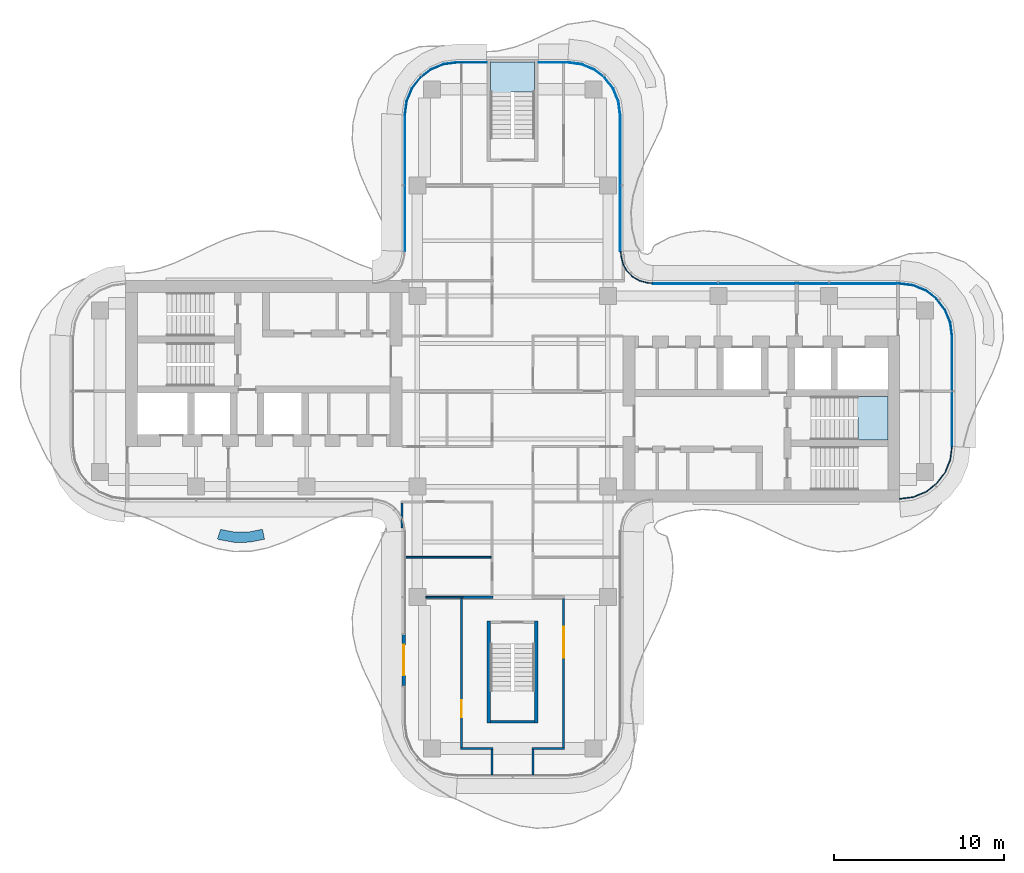
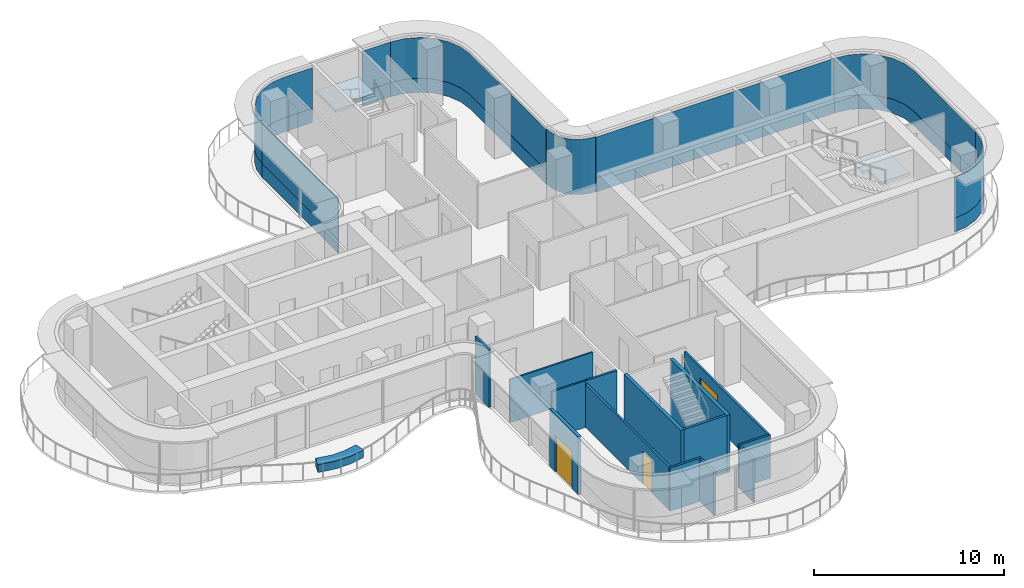
# One storey, part 10 of 16: 15 plates, 15 walls, 3 doors, 2 slabs, 3 openings, 10 elements without a shape of their own.
"""IFC4 building model written with IfcOpenShell, lengths in metres."""

from ifc_helpers import new_model, si_unit, direction, frame, frame_2d, origin, place, context, subcontext, project, spatial, polyline, rectangle, outline, extrude, source, transform, mapped, material, layer, layer_set, type_object, element, fill, aggregate, save


model = new_model("IFC4")

# Units and contexts
model_context = context("Model", 3, precision=1e-05, world=origin(), true_north=direction((0.0, 1.0)))
body_context = subcontext(model_context, "Body", "Model", "MODEL_VIEW")
ifc_project = project(units=[si_unit("LENGTHUNIT", "METRE"), si_unit("AREAUNIT", "SQUARE_METRE"), si_unit("VOLUMEUNIT", "CUBIC_METRE"), si_unit("PLANEANGLEUNIT", "RADIAN"), si_unit("MASSUNIT", "GRAM", prefix="KILO")], contexts=[model_context])

# Site, building, storey
site_placement = place(None, origin())
site = spatial("IfcSite", under=ifc_project, at=site_placement, CompositionType="ELEMENT")
building_placement = place(site_placement, origin())
building = spatial("IfcBuilding", under=site, at=building_placement, Name="Trellis Farm Tower", CompositionType="ELEMENT")
storey_placement = place(building_placement, frame((0.0, 0.0, 310.60009765625)))
storey = spatial("IfcBuildingStorey", under=building, at=storey_placement, Name="L70", CompositionType="ELEMENT", Elevation=310.60009765625)

# Stair, slab
ifc_material_1 = material(Name="Concrete C50/60", Category="concrete")
stair_type = type_object("IfcStairType", Name="CORE EXIT STAIR 22 RISERS 177 MM", PredefinedType="HALF_TURN_STAIR", material=ifc_material_1)
placement_1 = place(storey_placement, origin())
stair_1 = element("IfcStair", 1, at=placement_1, inside=storey, type_object=stair_type, Name="Exit stair N", PredefinedType="HALF_TURN_STAIR")
ifc_layer_1 = layer(ifc_material_1, 0.18994140625)
ifc_layer_set_1 = layer_set([ifc_layer_1], Name="CORE STAIR LANDING 190 CONCRETE C50/60")
slab_type = type_object("IfcSlabType", Name="CORE STAIR LANDING 190 CONCRETE C50/60", PredefinedType="LANDING", material=ifc_layer_set_1)
shared_shape_1 = source(origin(), body_context, "Body", "SweptSolid", [
    extrude(outline(polyline([(-0.10009765625, 17.27197265625), (-1.300048828125, 17.27197265625), (-1.300048828125, 17.60009765625), (-1.300048828125, 19.35009765625), (1.300048828125, 19.35009765625), (1.300048828125, 17.60009765625), (1.300048828125, 17.590087890625), (0.10009765625, 17.590087890625), (0.10009765625, 17.60009765625), (-0.10009765625, 17.60009765625), (-0.10009765625, 17.27197265625)])), origin(), (0.0, 0.0, 1.0), 0.18994140625),
])
placement_2 = place(storey_placement, frame((0.0, 0.0, 1.760009765625)))
slab_1 = element("IfcSlab", 2, at=placement_2, type_object=slab_type, Name="STN landing 1", PredefinedType="LANDING", context=body_context, shape_type="MappedRepresentation", body=[
    mapped(shared_shape_1, transform((0.0, 0.0, 0.0))),
])
aggregate(stair_1, [slab_1])

stair_2 = element("IfcStair", 3, at=placement_1, inside=storey, type_object=stair_type, Name="Exit stair E2", PredefinedType="HALF_TURN_STAIR")
shared_shape_2 = source(origin(), body_context, "Body", "SweptSolid", [
    extrude(outline(polyline([(20.2900390625, -2.85009765625), (20.2900390625, -1.64990234375), (20.300048828125, -1.64990234375), (20.300048828125, -1.5), (19.971923828125, -1.5), (19.971923828125, -0.300048828125), (20.300048828125, -0.300048828125), (22.050048828125, -0.300048828125), (22.050048828125, -2.85009765625), (20.300048828125, -2.85009765625), (20.2900390625, -2.85009765625)])), origin(), (0.0, 0.0, 1.0), 0.18994140625),
])
slab_2 = element("IfcSlab", 4, at=placement_2, type_object=slab_type, Name="STE2 landing 1", PredefinedType="LANDING", context=body_context, shape_type="MappedRepresentation", body=[
    mapped(shared_shape_2, transform((0.0, 0.0, 0.0))),
])
aggregate(stair_2, [slab_2])

# Curtain wall, plate
ifc_material_2 = material(Name="Aluminium and glass curtain wall", Category="aluminium")
ifc_layer_2 = layer(ifc_material_2, 0.166015625)
ifc_layer_set_2 = layer_set([ifc_layer_2], Name="WINTER GARDEN CURTAIN WALL CW3")
curtain_wall_type_1 = type_object("IfcCurtainWallType", Name="WINTER GARDEN CURTAIN WALL CW3", PredefinedType="NOTDEFINED", material=ifc_layer_set_2)
curtain_wall_1 = element("IfcCurtainWall", 5, at=placement_1, inside=storey, type_object=curtain_wall_type_1, Name="CW3 003", PredefinedType="NOTDEFINED")
ifc_material_3 = material(Name="Clear insulated glass", Category="glass")
ifc_layer_3 = layer(ifc_material_3, 0.0458984375)
ifc_layer_set_3 = layer_set([ifc_layer_3], Name="CW3 GLASS PANEL 46")
plate_type_1 = type_object("IfcPlateType", Name="CW3 GLASS PANEL 46", PredefinedType="CURTAIN_PANEL", material=ifc_layer_set_3)
shared_shape_3 = source(origin(), body_context, "Body", "SweptSolid", [
    extrude(outline(polyline([(8.2275390625, 6.3798828125), (8.0078125, 6.394287109375), (7.89208984375, 6.40966796875), (7.462158203125, 6.52490234375), (7.070556640625, 6.7509765625), (6.7509765625, 7.070556640625), (6.52490234375, 7.462158203125), (6.40966796875, 7.89208984375), (6.394287109375, 8.0078125), (6.3798828125, 8.2275390625), (6.333984375, 8.22607421875), (6.3486328125, 8.003173828125), (6.364501953125, 7.883056640625), (6.48193359375, 7.4443359375), (6.714111328125, 7.04248046875), (7.04248046875, 6.714111328125), (7.4443359375, 6.48193359375), (7.883056640625, 6.364501953125), (8.003173828125, 6.3486328125), (8.22607421875, 6.333984375), (8.2275390625, 6.3798828125)])), origin(), (0.0, 0.0, 1.0), 3.5498046875),
])
plate_1 = element("IfcPlate", 6, at=placement_1, type_object=plate_type_1, Name="PL3 003", PredefinedType="CURTAIN_PANEL", context=body_context, shape_type="MappedRepresentation", body=[
    mapped(shared_shape_3, transform((0.0, 0.0, 0.0))),
])
aggregate(curtain_wall_1, [plate_1])

# Curtain wall, plates
ifc_layer_4 = layer(ifc_material_2, 0.18994140625)
ifc_layer_set_4 = layer_set([ifc_layer_4], Name="RIBBON CURTAIN WALL CW1")
curtain_wall_type_2 = type_object("IfcCurtainWallType", Name="RIBBON CURTAIN WALL CW1", PredefinedType="NOTDEFINED", material=ifc_layer_set_4)
curtain_wall_2 = element("IfcCurtainWall", 7, at=placement_1, inside=storey, type_object=curtain_wall_type_2, Name="CW1 006", PredefinedType="NOTDEFINED")
ifc_layer_5 = layer(ifc_material_3, 0.0400390625)
ifc_layer_set_5 = layer_set([ifc_layer_5], Name="CW1 GLASS PANEL 40")
plate_type_2 = type_object("IfcPlateType", Name="CW1 GLASS PANEL 40", PredefinedType="CURTAIN_PANEL", material=ifc_layer_set_5)
shared_shape_4 = source(origin(), body_context, "Body", "SweptSolid", [
    extrude(outline(polyline([(22.740234375, -6.35009765625), (23.552001953125, -6.2431640625), (24.29931640625, -5.93359375), (24.941162109375, -5.441162109375), (25.43359375, -4.79931640625), (25.7431640625, -4.052001953125), (25.85009765625, -3.240234375), (25.81005859375, -3.237548828125), (25.7041015625, -4.04150390625), (25.398681640625, -4.779296875), (24.91259765625, -5.41259765625), (24.279296875, -5.898681640625), (23.54150390625, -6.2041015625), (22.737548828125, -6.31005859375), (22.740234375, -6.35009765625)])), origin(), (0.0, 0.0, 1.0), 2.6201171875),
])
placement_3 = place(storey_placement, frame((0.0, 0.0, 0.89990234375)))
plate_2 = element("IfcPlate", 8, at=placement_3, type_object=plate_type_2, Name="PL1 006", PredefinedType="CURTAIN_PANEL", context=body_context, shape_type="MappedRepresentation", body=[
    mapped(shared_shape_4, transform((0.0, 0.0, 0.0))),
])
ifc_material_4 = material(Name="Sandstone faced insulated panel", Category="masonry")
ifc_layer_6 = layer(ifc_material_4, 0.050048828125)
ifc_layer_set_6 = layer_set([ifc_layer_6], Name="CW1 STONE SPANDREL PANEL 50")
plate_type_3 = type_object("IfcPlateType", Name="CW1 STONE SPANDREL PANEL 50", PredefinedType="CURTAIN_PANEL", material=ifc_layer_set_6)
shared_shape_5 = source(origin(), body_context, "Body", "SweptSolid", [
    extrude(outline(polyline([(22.740234375, -6.35009765625), (23.552001953125, -6.2431640625), (24.29931640625, -5.93359375), (24.941162109375, -5.441162109375), (25.43359375, -4.79931640625), (25.7431640625, -4.052001953125), (25.85009765625, -3.240234375), (25.800048828125, -3.23681640625), (25.6943359375, -4.0390625), (25.389892578125, -4.774169921875), (24.905517578125, -5.405517578125), (24.274169921875, -5.889892578125), (23.5390625, -6.1943359375), (22.73681640625, -6.300048828125), (22.740234375, -6.35009765625)])), origin(), (0.0, 0.0, 1.0), 0.89990234375),
])
plate_3 = element("IfcPlate", 9, at=placement_1, type_object=plate_type_3, Name="PS1 006", PredefinedType="CURTAIN_PANEL", context=body_context, shape_type="MappedRepresentation", body=[
    mapped(shared_shape_5, transform((0.0, 0.0, 0.0))),
])
aggregate(curtain_wall_2, [plate_2, plate_3])

curtain_wall_3 = element("IfcCurtainWall", 10, at=placement_1, inside=storey, type_object=curtain_wall_type_2, Name="CW1 007", PredefinedType="NOTDEFINED")
shared_shape_6 = source(origin(), body_context, "Body", "SweptSolid", [
    extrude(outline(polyline([(25.85009765625, -3.240234375), (25.85009765625, 3.240234375), (25.7431640625, 4.052001953125), (25.43359375, 4.79931640625), (24.941162109375, 5.441162109375), (24.29931640625, 5.93359375), (23.552001953125, 6.2431640625), (22.740234375, 6.35009765625), (22.737548828125, 6.31005859375), (23.54150390625, 6.2041015625), (24.279296875, 5.898681640625), (24.91259765625, 5.41259765625), (25.398681640625, 4.779296875), (25.7041015625, 4.04150390625), (25.81005859375, 3.237548828125), (25.81005859375, -3.237548828125), (25.85009765625, -3.240234375)])), origin(), (0.0, 0.0, 1.0), 2.6201171875),
])
plate_4 = element("IfcPlate", 11, at=placement_3, type_object=plate_type_2, Name="PL1 007", PredefinedType="CURTAIN_PANEL", context=body_context, shape_type="MappedRepresentation", body=[
    mapped(shared_shape_6, transform((0.0, 0.0, 0.0))),
])
shared_shape_7 = source(origin(), body_context, "Body", "SweptSolid", [
    extrude(outline(polyline([(25.85009765625, -3.240234375), (25.85009765625, 3.240234375), (25.7431640625, 4.052001953125), (25.43359375, 4.79931640625), (24.941162109375, 5.441162109375), (24.29931640625, 5.93359375), (23.552001953125, 6.2431640625), (22.740234375, 6.35009765625), (22.73681640625, 6.300048828125), (23.5390625, 6.1943359375), (24.274169921875, 5.889892578125), (24.905517578125, 5.405517578125), (25.389892578125, 4.774169921875), (25.6943359375, 4.0390625), (25.800048828125, 3.23681640625), (25.800048828125, -3.23681640625), (25.85009765625, -3.240234375)])), origin(), (0.0, 0.0, 1.0), 0.89990234375),
])
plate_5 = element("IfcPlate", 12, at=placement_1, type_object=plate_type_3, Name="PS1 007", PredefinedType="CURTAIN_PANEL", context=body_context, shape_type="MappedRepresentation", body=[
    mapped(shared_shape_7, transform((0.0, 0.0, 0.0))),
])
aggregate(curtain_wall_3, [plate_4, plate_5])

curtain_wall_4 = element("IfcCurtainWall", 13, at=placement_1, inside=storey, type_object=curtain_wall_type_2, Name="CW1 008", PredefinedType="NOTDEFINED")
shared_shape_8 = source(origin(), body_context, "Body", "SweptSolid", [
    extrude(outline(polyline([(22.740234375, 6.35009765625), (8.2265625, 6.35009765625), (8.22509765625, 6.31005859375), (22.737548828125, 6.31005859375), (22.740234375, 6.35009765625)])), origin(), (0.0, 0.0, 1.0), 2.6201171875),
])
plate_6 = element("IfcPlate", 14, at=placement_3, type_object=plate_type_2, Name="PL1 008", PredefinedType="CURTAIN_PANEL", context=body_context, shape_type="MappedRepresentation", body=[
    mapped(shared_shape_8, transform((0.0, 0.0, 0.0))),
])
shared_shape_9 = source(origin(), body_context, "Body", "SweptSolid", [
    extrude(outline(polyline([(22.740234375, 6.35009765625), (8.2265625, 6.35009765625), (8.224853515625, 6.300048828125), (22.73681640625, 6.300048828125), (22.740234375, 6.35009765625)])), origin(), (0.0, 0.0, 1.0), 0.89990234375),
])
plate_7 = element("IfcPlate", 15, at=placement_1, type_object=plate_type_3, Name="PS1 008", PredefinedType="CURTAIN_PANEL", context=body_context, shape_type="MappedRepresentation", body=[
    mapped(shared_shape_9, transform((0.0, 0.0, 0.0))),
])
aggregate(curtain_wall_4, [plate_6, plate_7])

curtain_wall_5 = element("IfcCurtainWall", 16, at=placement_1, inside=storey, type_object=curtain_wall_type_2, Name="CW1 009", PredefinedType="NOTDEFINED")
shared_shape_10 = source(origin(), body_context, "Body", "SweptSolid", [
    extrude(outline(polyline([(6.35009765625, 8.2265625), (6.35009765625, 16.240234375), (6.2431640625, 17.052001953125), (5.93359375, 17.79931640625), (5.441162109375, 18.441162109375), (4.79931640625, 18.93359375), (4.052001953125, 19.2431640625), (3.240234375, 19.35009765625), (3.237548828125, 19.31005859375), (4.04150390625, 19.2041015625), (4.779296875, 18.898681640625), (5.41259765625, 18.41259765625), (5.898681640625, 17.779296875), (6.2041015625, 17.04150390625), (6.31005859375, 16.237548828125), (6.31005859375, 8.22509765625), (6.35009765625, 8.2265625)])), origin(), (0.0, 0.0, 1.0), 2.6201171875),
])
plate_8 = element("IfcPlate", 17, at=placement_3, type_object=plate_type_2, Name="PL1 009", PredefinedType="CURTAIN_PANEL", context=body_context, shape_type="MappedRepresentation", body=[
    mapped(shared_shape_10, transform((0.0, 0.0, 0.0))),
])
shared_shape_11 = source(origin(), body_context, "Body", "SweptSolid", [
    extrude(outline(polyline([(6.35009765625, 8.2265625), (6.35009765625, 16.240234375), (6.2431640625, 17.052001953125), (5.93359375, 17.79931640625), (5.441162109375, 18.441162109375), (4.79931640625, 18.93359375), (4.052001953125, 19.2431640625), (3.240234375, 19.35009765625), (3.23681640625, 19.300048828125), (4.0390625, 19.1943359375), (4.774169921875, 18.889892578125), (5.405517578125, 18.405517578125), (5.889892578125, 17.774169921875), (6.1943359375, 17.0390625), (6.300048828125, 16.23681640625), (6.300048828125, 8.224853515625), (6.35009765625, 8.2265625)])), origin(), (0.0, 0.0, 1.0), 0.89990234375),
])
plate_9 = element("IfcPlate", 18, at=placement_1, type_object=plate_type_3, Name="PS1 009", PredefinedType="CURTAIN_PANEL", context=body_context, shape_type="MappedRepresentation", body=[
    mapped(shared_shape_11, transform((0.0, 0.0, 0.0))),
])
aggregate(curtain_wall_5, [plate_8, plate_9])

curtain_wall_6 = element("IfcCurtainWall", 19, at=placement_1, inside=storey, type_object=curtain_wall_type_2, Name="CW1 010", PredefinedType="NOTDEFINED")
shared_shape_12 = source(origin(), body_context, "Body", "SweptSolid", [
    extrude(outline(polyline([(3.240234375, 19.35009765625), (1.530029296875, 19.35009765625), (1.530029296875, 19.31005859375), (3.237548828125, 19.31005859375), (3.240234375, 19.35009765625)])), origin(), (0.0, 0.0, 1.0), 2.6201171875),
])
plate_10 = element("IfcPlate", 20, at=placement_3, type_object=plate_type_2, Name="PL1 010", PredefinedType="CURTAIN_PANEL", context=body_context, shape_type="MappedRepresentation", body=[
    mapped(shared_shape_12, transform((0.0, 0.0, 0.0))),
])
shared_shape_13 = source(origin(), body_context, "Body", "SweptSolid", [
    extrude(outline(polyline([(3.240234375, 19.35009765625), (1.530029296875, 19.35009765625), (1.530029296875, 19.300048828125), (3.23681640625, 19.300048828125), (3.240234375, 19.35009765625)])), origin(), (0.0, 0.0, 1.0), 0.89990234375),
])
plate_11 = element("IfcPlate", 21, at=placement_1, type_object=plate_type_3, Name="PS1 010", PredefinedType="CURTAIN_PANEL", context=body_context, shape_type="MappedRepresentation", body=[
    mapped(shared_shape_13, transform((0.0, 0.0, 0.0))),
])
aggregate(curtain_wall_6, [plate_10, plate_11])

curtain_wall_7 = element("IfcCurtainWall", 22, at=placement_1, inside=storey, type_object=curtain_wall_type_2, Name="CW1 012", PredefinedType="NOTDEFINED")
shared_shape_14 = source(origin(), body_context, "Body", "SweptSolid", [
    extrude(outline(polyline([(-6.35009765625, 16.240234375), (-6.35009765625, 8.2265625), (-6.31005859375, 8.22509765625), (-6.31005859375, 16.237548828125), (-6.35009765625, 16.240234375)])), origin(), (0.0, 0.0, 1.0), 2.6201171875),
])
plate_12 = element("IfcPlate", 23, at=placement_3, type_object=plate_type_2, Name="PL1 012", PredefinedType="CURTAIN_PANEL", context=body_context, shape_type="MappedRepresentation", body=[
    mapped(shared_shape_14, transform((0.0, 0.0, 0.0))),
])
shared_shape_15 = source(origin(), body_context, "Body", "SweptSolid", [
    extrude(outline(polyline([(-6.35009765625, 16.240234375), (-6.35009765625, 8.2265625), (-6.300048828125, 8.224853515625), (-6.300048828125, 16.23681640625), (-6.35009765625, 16.240234375)])), origin(), (0.0, 0.0, 1.0), 0.89990234375),
])
plate_13 = element("IfcPlate", 24, at=placement_1, type_object=plate_type_3, Name="PS1 012", PredefinedType="CURTAIN_PANEL", context=body_context, shape_type="MappedRepresentation", body=[
    mapped(shared_shape_15, transform((0.0, 0.0, 0.0))),
])
aggregate(curtain_wall_7, [plate_12, plate_13])

curtain_wall_8 = element("IfcCurtainWall", 25, at=placement_1, inside=storey, type_object=curtain_wall_type_2, Name="CW1 011", PredefinedType="NOTDEFINED")
shared_shape_16 = source(origin(), body_context, "Body", "SweptSolid", [
    extrude(outline(polyline([(-1.530029296875, 19.35009765625), (-3.240234375, 19.35009765625), (-4.052001953125, 19.2431640625), (-4.79931640625, 18.93359375), (-5.441162109375, 18.441162109375), (-5.93359375, 17.79931640625), (-6.2431640625, 17.052001953125), (-6.35009765625, 16.240234375), (-6.31005859375, 16.237548828125), (-6.2041015625, 17.04150390625), (-5.898681640625, 17.779296875), (-5.41259765625, 18.41259765625), (-4.779296875, 18.898681640625), (-4.04150390625, 19.2041015625), (-3.237548828125, 19.31005859375), (-1.530029296875, 19.31005859375), (-1.530029296875, 19.35009765625)])), origin(), (0.0, 0.0, 1.0), 2.6201171875),
])
plate_14 = element("IfcPlate", 26, at=placement_3, type_object=plate_type_2, Name="PL1 011", PredefinedType="CURTAIN_PANEL", context=body_context, shape_type="MappedRepresentation", body=[
    mapped(shared_shape_16, transform((0.0, 0.0, 0.0))),
])
shared_shape_17 = source(origin(), body_context, "Body", "SweptSolid", [
    extrude(outline(polyline([(-1.530029296875, 19.35009765625), (-3.240234375, 19.35009765625), (-4.052001953125, 19.2431640625), (-4.79931640625, 18.93359375), (-5.441162109375, 18.441162109375), (-5.93359375, 17.79931640625), (-6.2431640625, 17.052001953125), (-6.35009765625, 16.240234375), (-6.300048828125, 16.23681640625), (-6.1943359375, 17.0390625), (-5.889892578125, 17.774169921875), (-5.405517578125, 18.405517578125), (-4.774169921875, 18.889892578125), (-4.0390625, 19.1943359375), (-3.23681640625, 19.300048828125), (-1.530029296875, 19.300048828125), (-1.530029296875, 19.35009765625)])), origin(), (0.0, 0.0, 1.0), 0.89990234375),
])
plate_15 = element("IfcPlate", 27, at=placement_1, type_object=plate_type_3, Name="PS1 011", PredefinedType="CURTAIN_PANEL", context=body_context, shape_type="MappedRepresentation", body=[
    mapped(shared_shape_17, transform((0.0, 0.0, 0.0))),
])
aggregate(curtain_wall_8, [plate_14, plate_15])

# Walls
ifc_material_5 = material(Name="Sandstone faced masonry planter", Category="masonry")
ifc_layer_7 = layer(ifc_material_5, 0.60009765625)
ifc_layer_set_7 = layer_set([ifc_layer_7], Name="PLANTER BED 600")
wall_type_1 = type_object("IfcWallType", Name="PLANTER BED 600", PredefinedType="USERDEFINED", material=ifc_layer_set_7)
element("IfcWall", 28, at=placement_1, inside=storey, type_object=wall_type_1, Name="PLANTER bed", ObjectType="PLANTER", PredefinedType="USERDEFINED", context=body_context, shape_type="SweptSolid", body=[
    extrude(outline(polyline([(-16.354736328125, -8.87841796875), (-17.25537109375, -8.717041015625), (-17.3525390625, -8.683837890625), (-17.158935546875, -8.1162109375), (-16.304443359375, -8.27783203125), (-15.523681640625, -8.27001953125), (-14.6962890625, -8.105712890625), (-14.579345703125, -8.6943359375), (-15.461669921875, -8.869384765625), (-16.354736328125, -8.87841796875)])), origin(), (0.0, 0.0, 1.0), 0.5),
])
ifc_layer_8 = layer(ifc_material_1, 0.199951171875)
ifc_layer_set_8 = layer_set([ifc_layer_8], Name="CORE STAIR ENCLOSURE WALL 200 CONCRETE C50/60")
wall_type_2 = type_object("IfcWallType", Name="CORE STAIR ENCLOSURE WALL 200 CONCRETE C50/60", PredefinedType="SHEAR", material=ifc_layer_set_8)
shared_shape_18 = source(origin(), body_context, "Body", "SweptSolid", [
    extrude(rectangle(XDim=6.0, YDim=0.199951171875, at=frame_2d((3.0, 0.0))), origin(), (0.0, 0.0, 1.0), 3.699951171875),
])
for number, where, z_axis, x_axis, name in (
    (29, (1.39990234375, -13.5, 0.0), (0.0, 0.0, 1.0), (0.0, -1.0, 0.0), "Stair enclosure wall"),
    (30, (-1.39990234375, -13.5, 0.0), (0.0, 0.0, 1.0), (0.0, -1.0, 0.0), "Stair enclosure wall"),
):
    element("IfcWall", number, at=place(storey_placement, frame(where, z_axis=z_axis, x_axis=x_axis)), inside=storey, type_object=wall_type_2, Name=name, PredefinedType="SHEAR", context=body_context, shape_type="MappedRepresentation", body=[
        mapped(shared_shape_18, transform((0.0, 0.0, 0.0))),
    ])
ifc_layer_9 = layer(ifc_material_1, 0.14990234375)
ifc_layer_set_9 = layer_set([ifc_layer_9], Name="CORE STAIR ENCLOSURE WALL 150 CONCRETE C50/60")
wall_type_3 = type_object("IfcWallType", Name="CORE STAIR ENCLOSURE WALL 150 CONCRETE C50/60", PredefinedType="SHEAR", material=ifc_layer_set_9)
shared_shape_19 = source(origin(), body_context, "Body", "SweptSolid", [
    extrude(rectangle(XDim=2.60009765625, YDim=0.14990234375, at=frame_2d((1.300048828125, 0.0))), origin(), (0.0, 0.0, 1.0), 3.699951171875),
])
wall_2_placement = place(storey_placement, frame((1.300048828125, -19.425048828125, 0.0), z_axis=(0.0, 0.0, 1.0), x_axis=(-1.0, 0.0, 0.0)))
element("IfcWall", 31, at=wall_2_placement, inside=storey, type_object=wall_type_3, Name="Stair enclosure wall", PredefinedType="SHEAR", context=body_context, shape_type="MappedRepresentation", body=[
    mapped(shared_shape_19, transform((0.0, 0.0, 0.0))),
])

# Wall, opening, door
ifc_material_6 = material(Name="Sandstone faced insulated wall", Category="masonry")
ifc_layer_10 = layer(ifc_material_6, 0.199951171875)
ifc_layer_set_10 = layer_set([ifc_layer_10], Name="EXTERNAL INFILL WALL 200")
wall_type_4 = type_object("IfcWallType", Name="EXTERNAL INFILL WALL 200", PredefinedType="SOLIDWALL", material=ifc_layer_set_10)
shared_shape_20 = source(origin(), body_context, "Body", "SweptSolid", [
    extrude(rectangle(XDim=3.0, YDim=0.199951171875, at=frame_2d((1.5, 0.0))), origin(), (0.0, 0.0, 1.0), 3.699951171875),
])
wall_3_placement = place(storey_placement, frame((-6.39990234375, -14.300048828125, 0.0), z_axis=(0.0, 0.0, 1.0), x_axis=(0.0, -1.0, 0.0)))
wall_3 = element("IfcWall", 32, at=wall_3_placement, inside=storey, type_object=wall_type_4, Name="EW1 01", PredefinedType="SOLIDWALL", context=body_context, shape_type="MappedRepresentation", body=[
    mapped(shared_shape_20, transform((0.0, 0.0, 0.0))),
])
shared_shape_21 = source(origin(), body_context, "Body", "SweptSolid", [
    extrude(rectangle(XDim=1.800048828125, YDim=2.39990234375, at=frame_2d((0.89990234375, 1.199951171875))), frame((0.0, 0.110107421875, 0.0), z_axis=(0.0, -1.0, 0.0), x_axis=(1.0, 0.0, 0.0)), (0.0, 0.0, 1.0), 0.22021484375),
])
opening_1_placement = place(wall_3_placement, frame((0.60009765625, 0.0, 0.0)))
opening_1 = element("IfcOpeningElement", 33, at=opening_1_placement, cuts=wall_3, Name="Opening ED1", PredefinedType="OPENING", context=body_context, shape_type="MappedRepresentation", body=[
    mapped(shared_shape_21, transform((0.0, 0.0, 0.0))),
])
ifc_material_7 = material(Name="Aluminium framed glazed door", Category="aluminium")
door_type_1 = type_object("IfcDoorType", Name="BALCONY DOOR 1800x2400", OperationType="DOUBLE_DOOR_SINGLE_SWING", PredefinedType="DOOR", material=ifc_material_7)
shared_shape_22 = source(origin(), body_context, "Body", "SweptSolid", [
    extrude(rectangle(XDim=1.800048828125, YDim=2.39990234375, at=frame_2d((0.89990234375, 1.199951171875))), frame((0.0, 0.02490234375, 0.0), z_axis=(0.0, -1.0, 0.0), x_axis=(1.0, 0.0, 0.0)), (0.0, 0.0, 1.0), 0.050048828125),
])
door_1_placement = place(opening_1_placement, origin())
door_1 = element("IfcDoor", 34, at=door_1_placement, inside=storey, type_object=door_type_1, Name="Balcony door", OperationType="DOUBLE_DOOR_SINGLE_SWING", OverallHeight=2.39990234375, OverallWidth=1.800048828125, PredefinedType="DOOR", context=body_context, shape_type="MappedRepresentation", body=[
    mapped(shared_shape_22, transform((0.0, 0.0, 0.0))),
])
fill(opening_1, door_1)

# Walls
ifc_material_8 = material(Name="Plasterboard on steel studs, mineral wool", Category="steel")
ifc_layer_11 = layer(ifc_material_8, 0.125)
ifc_layer_set_11 = layer_set([ifc_layer_11], Name="PARTITION 125 STUD EI 60")
wall_type_5 = type_object("IfcWallType", Name="PARTITION 125 STUD EI 60", PredefinedType="PARTITIONING", material=ifc_layer_set_11)
shared_shape_23 = source(origin(), body_context, "Body", "SweptSolid", [
    extrude(rectangle(XDim=1.468994140625, YDim=0.125, at=frame_2d((0.734375, 0.0))), origin(), (0.0, 0.0, 1.0), 3.699951171875),
])
wall_4_placement = place(storey_placement, frame((-6.5, -6.5625, 0.0), z_axis=(0.0, 0.0, 1.0), x_axis=(0.0, -1.0, 0.0)))
element("IfcWall", 35, at=wall_4_placement, inside=storey, type_object=wall_type_5, Name="Partition PW1", PredefinedType="PARTITIONING", context=body_context, shape_type="MappedRepresentation", body=[
    mapped(shared_shape_23, transform((0.0, 0.0, 0.0))),
])
shared_shape_24 = source(origin(), body_context, "Body", "SweptSolid", [
    extrude(rectangle(XDim=1.925048828125, YDim=0.125, at=frame_2d((0.96240234375, 0.0))), origin(), (0.0, 0.0, 1.0), 2.99658203125),
])
wall_5_placement = place(storey_placement, frame((-3.0625, -12.10009765625, 0.0), z_axis=(0.0, 0.0, 1.0), x_axis=(1.0, 0.0, 0.0)))
element("IfcWall", 36, at=wall_5_placement, inside=storey, type_object=wall_type_5, Name="Partition PW1", PredefinedType="PARTITIONING", context=body_context, shape_type="MappedRepresentation", body=[
    mapped(shared_shape_24, transform((0.0, 0.0, 0.0))),
])
ifc_material_9 = material(Name="Plasterboard on steel studs", Category="steel")
ifc_layer_12 = layer(ifc_material_9, 0.10009765625)
ifc_layer_set_12 = layer_set([ifc_layer_12], Name="PARTITION 100 STUD EI 30")
wall_type_6 = type_object("IfcWallType", Name="PARTITION 100 STUD EI 30", PredefinedType="PARTITIONING", material=ifc_layer_set_12)
shared_shape_25 = source(origin(), body_context, "Body", "SweptSolid", [
    extrude(rectangle(XDim=5.03759765625, YDim=0.10009765625, at=frame_2d((2.518798828125, 0.0))), origin(), (0.0, 0.0, 1.0), 2.77978515625),
])
wall_6_placement = place(storey_placement, frame((-6.300048828125, -9.75, 0.0), z_axis=(0.0, 0.0, 1.0), x_axis=(1.0, 0.0, 0.0)))
element("IfcWall", 37, at=wall_6_placement, inside=storey, type_object=wall_type_6, Name="Partition PW2", PredefinedType="PARTITIONING", context=body_context, shape_type="MappedRepresentation", body=[
    mapped(shared_shape_25, transform((0.0, 0.0, 0.0))),
])
shared_shape_26 = source(origin(), body_context, "Body", "SweptSolid", [
    extrude(rectangle(XDim=1.487548828125, YDim=0.125, at=frame_2d((0.74365234375, 0.0))), origin(), (0.0, 0.0, 1.0), 2.77978515625),
])
for number, where, z_axis, x_axis, name in (
    (38, (-1.199951171875, -21.0625, 0.0), (0.0, 0.0, 1.0), (0.0, -1.0, 0.0), "Partition PW1"),
    (39, (1.199951171875, -21.0625, 0.0), (0.0, 0.0, 1.0), (0.0, -1.0, 0.0), "Partition PW1"),
):
    element("IfcWall", number, at=place(storey_placement, frame(where, z_axis=z_axis, x_axis=x_axis)), inside=storey, type_object=wall_type_5, Name=name, PredefinedType="PARTITIONING", context=body_context, shape_type="MappedRepresentation", body=[
        mapped(shared_shape_26, transform((0.0, 0.0, 0.0))),
    ])
shared_shape_27 = source(origin(), body_context, "Body", "SweptSolid", [
    extrude(rectangle(XDim=1.925048828125, YDim=0.125, at=frame_2d((0.96240234375, 0.0))), origin(), (0.0, 0.0, 1.0), 2.77978515625),
])
for number, where, z_axis, x_axis, name in (
    (40, (-1.137451171875, -21.0, 0.0), (0.0, 0.0, 1.0), (-1.0, 0.0, 0.0), "Partition PW1"),
    (41, (3.0625, -21.0, 0.0), (0.0, 0.0, 1.0), (-1.0, 0.0, 0.0), "Partition PW1"),
):
    element("IfcWall", number, at=place(storey_placement, frame(where, z_axis=z_axis, x_axis=x_axis)), inside=storey, type_object=wall_type_5, Name=name, PredefinedType="PARTITIONING", context=body_context, shape_type="MappedRepresentation", body=[
        mapped(shared_shape_27, transform((0.0, 0.0, 0.0))),
    ])

# Wall, opening, door
shared_shape_28 = source(origin(), body_context, "Body", "SweptSolid", [
    extrude(rectangle(XDim=8.77490234375, YDim=0.125, at=frame_2d((4.387451171875, 0.0))), origin(), (0.0, 0.0, 1.0), 2.77978515625),
])
wall_7_placement = place(storey_placement, frame((3.0, -12.16259765625, 0.0), z_axis=(0.0, 0.0, 1.0), x_axis=(0.0, -1.0, 0.0)))
wall_7 = element("IfcWall", 42, at=wall_7_placement, inside=storey, type_object=wall_type_5, Name="Partition PW1", PredefinedType="PARTITIONING", context=body_context, shape_type="MappedRepresentation", body=[
    mapped(shared_shape_28, transform((0.0, 0.0, 0.0))),
])
shared_shape_29 = source(origin(), body_context, "Body", "SweptSolid", [
    extrude(rectangle(XDim=1.800048828125, YDim=2.10009765625, at=frame_2d((0.89990234375, 1.050048828125))), frame((0.0, 0.072509765625, 0.0), z_axis=(0.0, -1.0, 0.0), x_axis=(1.0, 0.0, 0.0)), (0.0, 0.0, 1.0), 0.14501953125),
])
opening_2_placement = place(wall_7_placement, frame((1.6875, 0.0, 0.0)))
opening_2 = element("IfcOpeningElement", 43, at=opening_2_placement, cuts=wall_7, Name="Opening D201", PredefinedType="OPENING", context=body_context, shape_type="MappedRepresentation", body=[
    mapped(shared_shape_29, transform((0.0, 0.0, 0.0))),
])
ifc_material_10 = material(Name="Fire-rated timber door leaf in a hollow metal frame", Category="wood")
door_type_2 = type_object("IfcDoorType", Name="DOOR PAIR 1800x2100 FD30S", OperationType="NOTDEFINED", PredefinedType="DOOR", material=ifc_material_10)
shared_shape_30 = source(origin(), body_context, "Body", "SweptSolid", [
    extrude(rectangle(XDim=1.800048828125, YDim=2.10009765625, at=frame_2d((0.89990234375, 1.050048828125))), frame((0.0, 0.02490234375, 0.0), z_axis=(0.0, -1.0, 0.0), x_axis=(1.0, 0.0, 0.0)), (0.0, 0.0, 1.0), 0.050048828125),
])
door_2_placement = place(opening_2_placement, origin())
door_2 = element("IfcDoor", 44, at=door_2_placement, inside=storey, type_object=door_type_2, Name="Door D201", OperationType="DOUBLE_DOOR_SINGLE_SWING", OverallHeight=2.10009765625, OverallWidth=1.800048828125, PredefinedType="DOOR", context=body_context, shape_type="MappedRepresentation", body=[
    mapped(shared_shape_30, transform((0.0, 0.0, 0.0))),
])
fill(opening_2, door_2)

shared_shape_31 = source(origin(), body_context, "Body", "SweptSolid", [
    extrude(rectangle(XDim=8.78759765625, YDim=0.125, at=frame_2d((4.393798828125, 0.0))), origin(), (0.0, 0.0, 1.0), 2.77978515625),
])
wall_8_placement = place(storey_placement, frame((-3.0, -20.9375, 0.0), z_axis=(0.0, 0.0, 1.0), x_axis=(0.0, 1.0, 0.0)))
wall_8 = element("IfcWall", 45, at=wall_8_placement, inside=storey, type_object=wall_type_5, Name="Partition PW1", PredefinedType="PARTITIONING", context=body_context, shape_type="MappedRepresentation", body=[
    mapped(shared_shape_31, transform((0.0, 0.0, 0.0))),
])
shared_shape_32 = source(origin(), body_context, "Body", "SweptSolid", [
    extrude(rectangle(XDim=1.0, YDim=2.10009765625, at=frame_2d((0.5, 1.050048828125))), frame((0.0, 0.072509765625, 0.0), z_axis=(0.0, -1.0, 0.0), x_axis=(1.0, 0.0, 0.0)), (0.0, 0.0, 1.0), 0.14501953125),
])
opening_3_placement = place(wall_8_placement, frame((1.78759765625, 0.0, 0.0)))
opening_3 = element("IfcOpeningElement", 46, at=opening_3_placement, cuts=wall_8, Name="Opening D101", PredefinedType="OPENING", context=body_context, shape_type="MappedRepresentation", body=[
    mapped(shared_shape_32, transform((0.0, 0.0, 0.0))),
])
door_type_3 = type_object("IfcDoorType", Name="DOOR 1000x2100 FD30S", OperationType="NOTDEFINED", PredefinedType="DOOR", material=ifc_material_10)
shared_shape_33 = source(origin(), body_context, "Body", "SweptSolid", [
    extrude(rectangle(XDim=1.0, YDim=2.10009765625, at=frame_2d((0.5, 1.050048828125))), frame((0.0, 0.02490234375, 0.0), z_axis=(0.0, -1.0, 0.0), x_axis=(1.0, 0.0, 0.0)), (0.0, 0.0, 1.0), 0.050048828125),
])
door_3_placement = place(opening_3_placement, origin())
door_3 = element("IfcDoor", 47, at=door_3_placement, inside=storey, type_object=door_type_3, Name="Door D101", OperationType="SINGLE_SWING_LEFT", OverallHeight=2.10009765625, OverallWidth=1.0, PredefinedType="DOOR", context=body_context, shape_type="MappedRepresentation", body=[
    mapped(shared_shape_33, transform((0.0, 0.0, 0.0))),
])
fill(opening_3, door_3)

# Wall
shared_shape_34 = source(origin(), body_context, "Body", "SweptSolid", [
    extrude(rectangle(XDim=2.16259765625, YDim=0.10009765625, at=frame_2d((1.081298828125, 0.0))), origin(), (0.0, 0.0, 1.0), 2.99658203125),
])
wall_9_placement = place(storey_placement, frame((-5.10009765625, -12.10009765625, 0.0), z_axis=(0.0, 0.0, 1.0), x_axis=(1.0, 0.0, 0.0)))
element("IfcWall", 48, at=wall_9_placement, inside=storey, type_object=wall_type_6, Name="Partition PW2", PredefinedType="PARTITIONING", context=body_context, shape_type="MappedRepresentation", body=[
    mapped(shared_shape_34, transform((0.0, 0.0, 0.0))),
])

save(model, "model.ifc")
